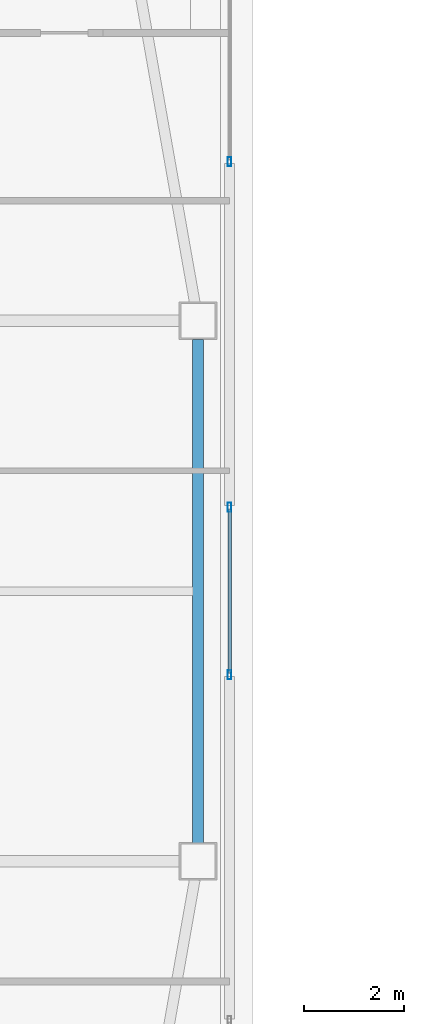
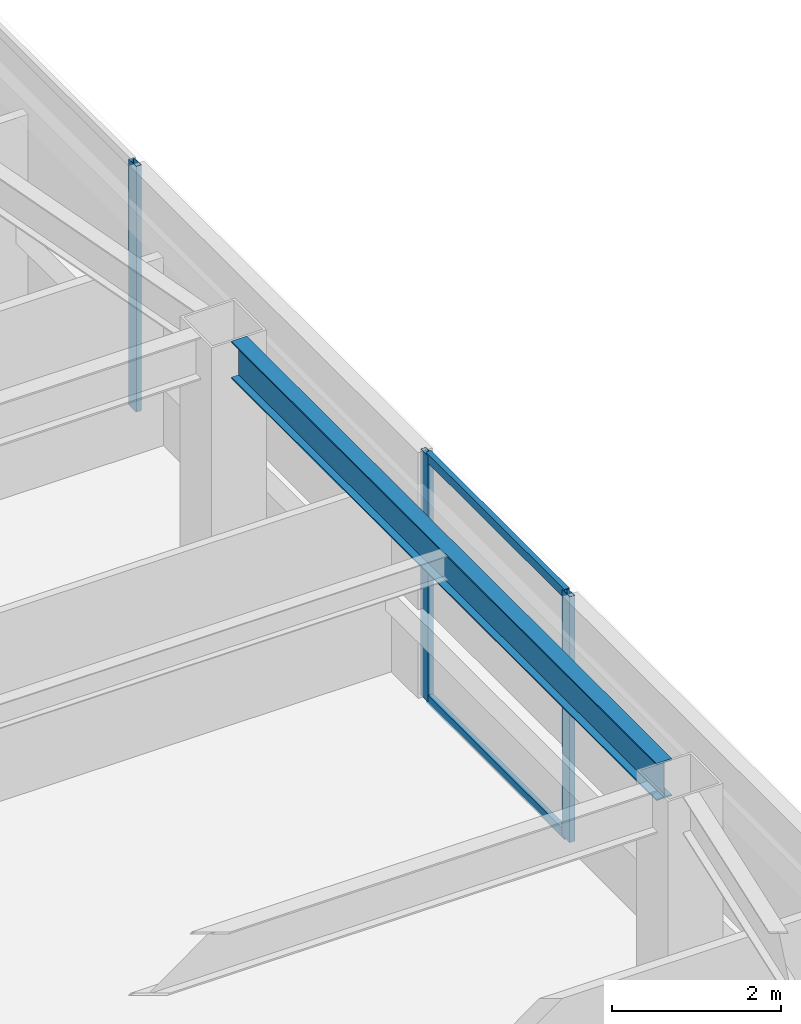
# One storey, part 11 of 43: 5 members, 1 beam, 2 elements without a shape of their own.
"""IFC4 building model written with IfcOpenShell, lengths in metres."""

from ifc_helpers import new_model, si_unit, direction, frame, origin, origin_2d, place, context, subcontext, project, spatial, hollow_rectangle, i_section, extrude, material, material_profile, profile_set, type_object, element, aggregate, save


model = new_model("IFC4")

# Units and contexts
model_context = context("Model", 3, precision=1e-05, world=origin(), true_north=direction((0.0, 1.0)))
body_context = subcontext(model_context, "Body", "Model", "MODEL_VIEW")
ifc_project = project(units=[si_unit("LENGTHUNIT", "METRE"), si_unit("AREAUNIT", "SQUARE_METRE"), si_unit("VOLUMEUNIT", "CUBIC_METRE"), si_unit("PLANEANGLEUNIT", "RADIAN"), si_unit("MASSUNIT", "GRAM", prefix="KILO")], contexts=[model_context])

# Site, building, storey
site_placement = place(None, origin())
site = spatial("IfcSite", under=ifc_project, at=site_placement, CompositionType="ELEMENT")
building_placement = place(site_placement, origin())
building = spatial("IfcBuilding", under=site, at=building_placement, Name="Tashvorn Skyway Center", CompositionType="ELEMENT")
storey_placement = place(building_placement, frame((0.0, 0.0, 185.39990234375)))
storey = spatial("IfcBuildingStorey", under=building, at=storey_placement, Name="L50", CompositionType="ELEMENT", Elevation=185.39990234375)

# Beam
ifc_material_1 = material(Name="Steel ASTM A992 Grade 50", Category="steel")
ifc_material_profile_1 = material_profile(ifc_material_1, i_section(OverallWidth=0.2109375, OverallDepth=0.5390625, WebThickness=0.01171875, FlangeThickness=0.018798828125, at=origin_2d()), Name="W21X73")
ifc_profile_set_1 = profile_set([ifc_material_profile_1], Name="Steel ASTM A992 Grade 50")
beam_type = type_object("IfcBeamType", Name="BM-SPANDREL-W21X73", PredefinedType="SPANDREL", material=ifc_profile_set_1)
beam_placement = place(storey_placement, frame((59.050048828125, 26.969970703125, 3.1005859375), z_axis=(0.0, 1.0, 0.0), x_axis=(-1.0, 0.0, 0.0)))
element("IfcBeam", 1, at=beam_placement, inside=storey, type_object=beam_type, Name="Tower 1 L50 Spandrel Beam 05", PredefinedType="SPANDREL", context=body_context, shape_type="SweptSolid", body=[
    extrude(i_section(OverallWidth=0.2109375, OverallDepth=0.5390625, WebThickness=0.01171875, FlangeThickness=0.018798828125, at=origin_2d()), origin(), (0.0, 0.0, 1.0), 10.06005859375),
])

# Curtain wall, member
ifc_material_2 = material(Name="Thermally broken bronze-anodized aluminium 6063-T6", Category="aluminium")
curtain_wall_type = type_object("IfcCurtainWallType", Name="CW-CW-Z4", PredefinedType="NOTDEFINED", material=ifc_material_2)
curtain_wall_1_placement = place(storey_placement, origin())
curtain_wall_1 = element("IfcCurtainWall", 2, at=curtain_wall_1_placement, inside=storey, type_object=curtain_wall_type, Name="Tower 1 L50 East Unitised Curtain Wall Glazing Group 1", PredefinedType="NOTDEFINED")
ifc_material_profile_2 = material_profile(ifc_material_2, hollow_rectangle(XDim=0.070068359375, YDim=0.179931640625, WallThickness=0.00390625, at=origin_2d()), Name="ALU-MULL-70x180")
ifc_profile_set_2 = profile_set([ifc_material_profile_2], Name="Thermally broken bronze-anodized aluminium 6063-T6")
member_type_1 = type_object("IfcMemberType", Name="CWM-CW-Z4", PredefinedType="MULLION", material=ifc_profile_set_2)
member_1_placement = place(storey_placement, frame((59.679931640625, 40.579345703125, 0.0), z_axis=(0.0, 0.0, 1.0), x_axis=(1.0, 0.0, 0.0)))
member_1 = element("IfcMember", 3, at=member_1_placement, type_object=member_type_1, Name="CW-Z4 mullion 3", PredefinedType="MULLION", context=body_context, shape_type="SweptSolid", body=[
    extrude(hollow_rectangle(XDim=0.070068359375, YDim=0.179931640625, WallThickness=0.00390625, at=origin_2d()), origin(), (0.0, 0.0, 1.0), 3.550048828125),
])
aggregate(curtain_wall_1, [member_1])

# Curtain wall, members
curtain_wall_2_placement = place(storey_placement, origin())
curtain_wall_2 = element("IfcCurtainWall", 4, at=curtain_wall_2_placement, inside=storey, type_object=curtain_wall_type, Name="Tower 1 L50 East Unitised Curtain Wall Glazing Group 2", PredefinedType="NOTDEFINED")
member_2_placement = place(storey_placement, frame((59.679931640625, 33.673828125, 0.0), z_axis=(0.0, 0.0, 1.0), x_axis=(1.0, 0.0, 0.0)))
member_2 = element("IfcMember", 5, at=member_2_placement, type_object=member_type_1, Name="CW-Z4 mullion 1", PredefinedType="MULLION", context=body_context, shape_type="SweptSolid", body=[
    extrude(hollow_rectangle(XDim=0.070068359375, YDim=0.179931640625, WallThickness=0.00390625, at=origin_2d()), origin(), (0.0, 0.0, 1.0), 3.550048828125),
])
member_3_placement = place(storey_placement, frame((59.679931640625, 30.326171875, 0.0), z_axis=(0.0, 0.0, 1.0), x_axis=(1.0, 0.0, 0.0)))
member_3 = element("IfcMember", 6, at=member_3_placement, type_object=member_type_1, Name="CW-Z4 mullion 2", PredefinedType="MULLION", context=body_context, shape_type="SweptSolid", body=[
    extrude(hollow_rectangle(XDim=0.070068359375, YDim=0.179931640625, WallThickness=0.00390625, at=origin_2d()), origin(), (0.0, 0.0, 1.0), 3.550048828125),
])
ifc_material_profile_3 = material_profile(ifc_material_2, hollow_rectangle(XDim=0.070068359375, YDim=0.1298828125, WallThickness=0.00390625, at=origin_2d()), Name="ALU-TRAN-70x130")
ifc_profile_set_3 = profile_set([ifc_material_profile_3], Name="Thermally broken bronze-anodized aluminium 6063-T6")
member_type_2 = type_object("IfcMemberType", Name="CWT-CW-Z4", PredefinedType="USERDEFINED", material=ifc_profile_set_3)
member_4_placement = place(storey_placement, frame((59.679931640625, 33.638916015625, 0.03515625), z_axis=(0.0, -1.0, 0.0), x_axis=(1.0, 0.0, 0.0)))
member_4 = element("IfcMember", 7, at=member_4_placement, type_object=member_type_2, Name="CW-Z4 transom 1.1", ObjectType="TRANSOM", PredefinedType="USERDEFINED", context=body_context, shape_type="SweptSolid", body=[
    extrude(hollow_rectangle(XDim=0.070068359375, YDim=0.1298828125, WallThickness=0.00390625, at=origin_2d()), origin(), (0.0, 0.0, 1.0), 3.27783203125),
])
member_5_placement = place(storey_placement, frame((59.679931640625, 33.638916015625, 3.51513671875), z_axis=(0.0, -1.0, 0.0), x_axis=(1.0, 0.0, 0.0)))
member_5 = element("IfcMember", 8, at=member_5_placement, type_object=member_type_2, Name="CW-Z4 transom 1.2", ObjectType="TRANSOM", PredefinedType="USERDEFINED", context=body_context, shape_type="SweptSolid", body=[
    extrude(hollow_rectangle(XDim=0.070068359375, YDim=0.1298828125, WallThickness=0.00390625, at=origin_2d()), origin(), (0.0, 0.0, 1.0), 3.27783203125),
])
aggregate(curtain_wall_2, [member_2, member_3, member_4, member_5])

save(model, "model.ifc")
